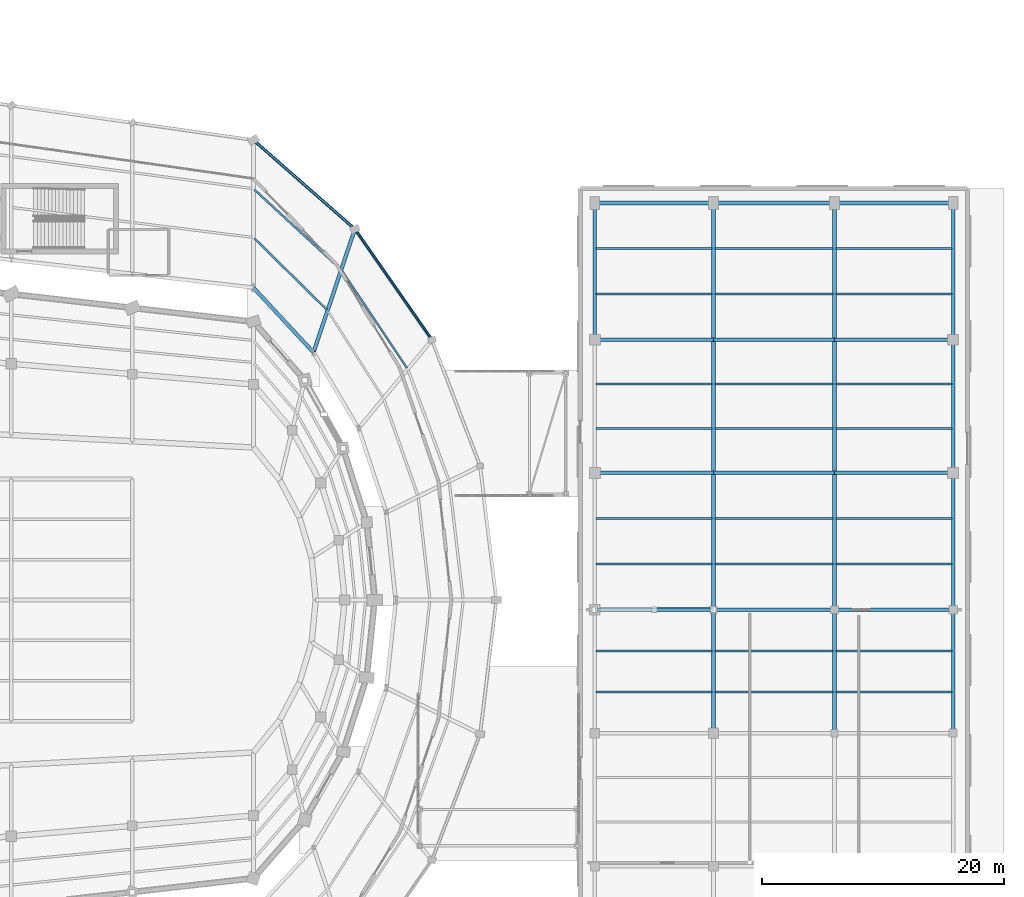
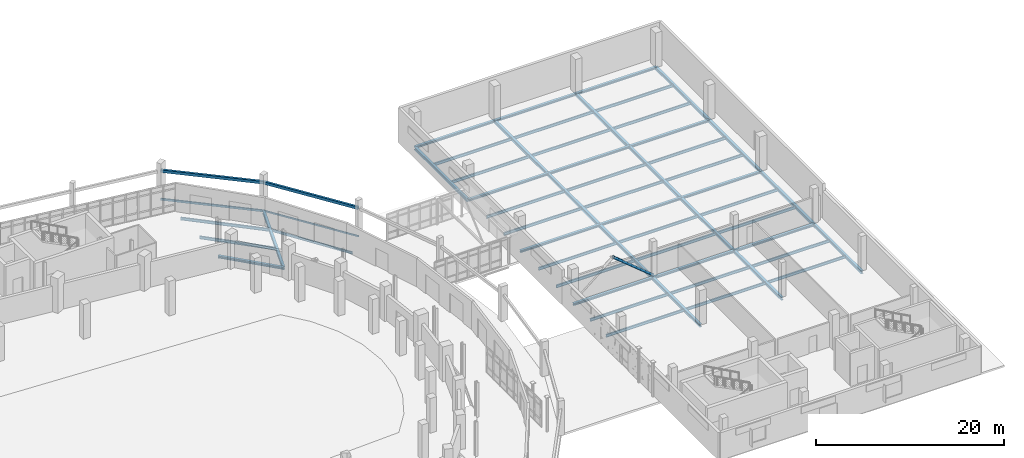
# One storey, part 77 of 122: 58 beams, 1 member.
"""IFC4 building model written with IfcOpenShell, lengths in metres."""

from ifc_helpers import new_model, si_unit, direction, frame, origin, origin_2d, place, context, subcontext, project, spatial, hollow_rectangle, hollow_circle, i_section, extrude, material, material_profile, profile_set, type_object, element, save


model = new_model("IFC4")

# Units and contexts
model_context = context("Model", 3, precision=1e-05, world=origin(), true_north=direction((0.0, 1.0)))
body_context = subcontext(model_context, "Body", "Model", "MODEL_VIEW")
ifc_project = project(units=[si_unit("LENGTHUNIT", "METRE"), si_unit("AREAUNIT", "SQUARE_METRE"), si_unit("VOLUMEUNIT", "CUBIC_METRE"), si_unit("PLANEANGLEUNIT", "RADIAN"), si_unit("MASSUNIT", "GRAM", prefix="KILO")], contexts=[model_context])

# Site, building, storey
site_placement = place(None, origin())
site = spatial("IfcSite", under=ifc_project, at=site_placement, CompositionType="ELEMENT")
building_placement = place(site_placement, origin())
building = spatial("IfcBuilding", under=site, at=building_placement, Name="Sohan Crest Arena", CompositionType="ELEMENT")
storey_placement = place(building_placement, origin())
storey = spatial("IfcBuildingStorey", under=building, at=storey_placement, Name="L00", CompositionType="ELEMENT", Elevation=0.0)

# Beams
ifc_material = material(Name="Steel S355", Category="steel")
ifc_material_profile_1 = material_profile(ifc_material, i_section(OverallWidth=0.14990234375, OverallDepth=0.300048828125, WebThickness=0.007080078125, FlangeThickness=0.0107421875, at=origin_2d()), Name="IPE 300")
ifc_profile_set_1 = profile_set([ifc_material_profile_1], Name="Steel S355")
beam_type_1 = type_object("IfcBeamType", Name="STR-BM-B01", PredefinedType="JOIST", material=ifc_profile_set_1)
beam_1_placement = place(storey_placement, frame((180.68310546875, 97.166015625, -0.425048828125), z_axis=(-0.556006645923, 0.831177844802, 0.0), x_axis=(-0.831177844802, -0.556006645923, 0.0)))
element("IfcBeam", 1, at=beam_1_placement, inside=storey, type_object=beam_type_1, Name="Structural beam J-L00-1043", PredefinedType="JOIST", context=body_context, shape_type="SweptSolid", body=[
    extrude(i_section(OverallWidth=0.14990234375, OverallDepth=0.300048828125, WebThickness=0.007080078125, FlangeThickness=0.0107421875, at=origin_2d()), origin(), (0.0, 0.0, 1.0), 9.65478515625),
])
ifc_material_profile_2 = material_profile(ifc_material, i_section(OverallWidth=0.169921875, OverallDepth=0.360107421875, WebThickness=0.008056640625, FlangeThickness=0.0126953125, at=origin_2d()), Name="IPE 360")
ifc_profile_set_2 = profile_set([ifc_material_profile_2], Name="Steel S355")
beam_type_2 = type_object("IfcBeamType", Name="STR-BM-B02", PredefinedType="JOIST", material=ifc_profile_set_2)
beam_2_placement = place(storey_placement, frame((174.0458984375, 101.9951171875, -0.455078125), z_axis=(-0.712580271708, 0.701590590283, 0.0), x_axis=(-0.701590590283, -0.712580271708, 0.0)))
element("IfcBeam", 2, at=beam_2_placement, inside=storey, type_object=beam_type_2, Name="Structural beam J-L00-1048", PredefinedType="JOIST", context=body_context, shape_type="SweptSolid", body=[
    extrude(i_section(OverallWidth=0.169921875, OverallDepth=0.360107421875, WebThickness=0.008056640625, FlangeThickness=0.0126953125, at=origin_2d()), origin(), (0.0, 0.0, 1.0), 8.375244140625),
])
beam_3_placement = place(storey_placement, frame((175.173095703125, 105.35693359375, -0.455078125), z_axis=(-0.735036224245, 0.678027837959, 0.0), x_axis=(-0.678027837959, -0.735036224245, 0.0)))
element("IfcBeam", 3, at=beam_3_placement, inside=storey, type_object=beam_type_2, Name="Structural beam J-L00-1049", PredefinedType="JOIST", context=body_context, shape_type="SweptSolid", body=[
    extrude(i_section(OverallWidth=0.169921875, OverallDepth=0.360107421875, WebThickness=0.008056640625, FlangeThickness=0.0126953125, at=origin_2d()), origin(), (0.0, 0.0, 1.0), 9.648681640625),
])
for number, where, z_axis, x_axis, name in (
    (4, (196.31005859375, 70.39990234375, -0.409912109375), (1.0, 0.0, 0.0), (0.0, 1.0, 0.0), "Structural beam J-L00-2226"),
    (5, (196.31005859375, 73.800048828125, -0.409912109375), (1.0, 0.0, 0.0), (0.0, 1.0, 0.0), "Structural beam J-L00-2227"),
):
    element("IfcBeam", number, at=place(storey_placement, frame(where, z_axis=z_axis, x_axis=x_axis)), inside=storey, type_object=beam_type_2, Name=name, PredefinedType="JOIST", context=body_context, shape_type="SweptSolid", body=[
        extrude(i_section(OverallWidth=0.169921875, OverallDepth=0.360107421875, WebThickness=0.008056640625, FlangeThickness=0.0126953125, at=origin_2d()), origin(), (0.0, 0.0, 1.0), 9.579833984375),
    ])
for number, where, z_axis, x_axis, name in (
    (6, (206.110107421875, 70.39990234375, -0.409912109375), (1.0, 0.0, 0.0), (0.0, 1.0, 0.0), "Structural beam J-L00-2229"),
    (7, (206.110107421875, 73.800048828125, -0.409912109375), (1.0, 0.0, 0.0), (0.0, 1.0, 0.0), "Structural beam J-L00-2230"),
):
    element("IfcBeam", number, at=place(storey_placement, frame(where, z_axis=z_axis, x_axis=x_axis)), inside=storey, type_object=beam_type_2, Name=name, PredefinedType="JOIST", context=body_context, shape_type="SweptSolid", body=[
        extrude(i_section(OverallWidth=0.169921875, OverallDepth=0.360107421875, WebThickness=0.008056640625, FlangeThickness=0.0126953125, at=origin_2d()), origin(), (0.0, 0.0, 1.0), 9.77978515625),
    ])
for number, where, z_axis, x_axis, name in (
    (8, (216.110107421875, 70.39990234375, -0.409912109375), (1.0, 0.0, 0.0), (0.0, 1.0, 0.0), "Structural beam J-L00-2232"),
    (9, (216.110107421875, 73.800048828125, -0.409912109375), (1.0, 0.0, 0.0), (0.0, 1.0, 0.0), "Structural beam J-L00-2233"),
    (10, (196.31005859375, 80.967041015625, -0.409912109375), (1.0, 0.0, 0.0), (0.0, 1.0, 0.0), "Structural beam J-L00-2235"),
    (11, (196.31005859375, 84.73291015625, -0.409912109375), (1.0, 0.0, 0.0), (0.0, 1.0, 0.0), "Structural beam J-L00-2236"),
):
    element("IfcBeam", number, at=place(storey_placement, frame(where, z_axis=z_axis, x_axis=x_axis)), inside=storey, type_object=beam_type_2, Name=name, PredefinedType="JOIST", context=body_context, shape_type="SweptSolid", body=[
        extrude(i_section(OverallWidth=0.169921875, OverallDepth=0.360107421875, WebThickness=0.008056640625, FlangeThickness=0.0126953125, at=origin_2d()), origin(), (0.0, 0.0, 1.0), 9.579833984375),
    ])
for number, where, z_axis, x_axis, name in (
    (12, (206.110107421875, 80.967041015625, -0.409912109375), (1.0, 0.0, 0.0), (0.0, 1.0, 0.0), "Structural beam J-L00-2238"),
    (13, (206.110107421875, 84.73291015625, -0.409912109375), (1.0, 0.0, 0.0), (0.0, 1.0, 0.0), "Structural beam J-L00-2239"),
):
    element("IfcBeam", number, at=place(storey_placement, frame(where, z_axis=z_axis, x_axis=x_axis)), inside=storey, type_object=beam_type_2, Name=name, PredefinedType="JOIST", context=body_context, shape_type="SweptSolid", body=[
        extrude(i_section(OverallWidth=0.169921875, OverallDepth=0.360107421875, WebThickness=0.008056640625, FlangeThickness=0.0126953125, at=origin_2d()), origin(), (0.0, 0.0, 1.0), 9.77978515625),
    ])
for number, where, z_axis, x_axis, name in (
    (14, (216.110107421875, 80.967041015625, -0.409912109375), (1.0, 0.0, 0.0), (0.0, 1.0, 0.0), "Structural beam J-L00-2241"),
    (15, (216.110107421875, 84.73291015625, -0.409912109375), (1.0, 0.0, 0.0), (0.0, 1.0, 0.0), "Structural beam J-L00-2242"),
    (16, (196.31005859375, 92.1669921875, -0.409912109375), (1.0, 0.0, 0.0), (0.0, 1.0, 0.0), "Structural beam J-L00-2244"),
    (17, (196.31005859375, 95.8330078125, -0.409912109375), (1.0, 0.0, 0.0), (0.0, 1.0, 0.0), "Structural beam J-L00-2245"),
):
    element("IfcBeam", number, at=place(storey_placement, frame(where, z_axis=z_axis, x_axis=x_axis)), inside=storey, type_object=beam_type_2, Name=name, PredefinedType="JOIST", context=body_context, shape_type="SweptSolid", body=[
        extrude(i_section(OverallWidth=0.169921875, OverallDepth=0.360107421875, WebThickness=0.008056640625, FlangeThickness=0.0126953125, at=origin_2d()), origin(), (0.0, 0.0, 1.0), 9.579833984375),
    ])
for number, where, z_axis, x_axis, name in (
    (18, (206.110107421875, 92.1669921875, -0.409912109375), (1.0, 0.0, 0.0), (0.0, 1.0, 0.0), "Structural beam J-L00-2247"),
    (19, (206.110107421875, 95.8330078125, -0.409912109375), (1.0, 0.0, 0.0), (0.0, 1.0, 0.0), "Structural beam J-L00-2248"),
):
    element("IfcBeam", number, at=place(storey_placement, frame(where, z_axis=z_axis, x_axis=x_axis)), inside=storey, type_object=beam_type_2, Name=name, PredefinedType="JOIST", context=body_context, shape_type="SweptSolid", body=[
        extrude(i_section(OverallWidth=0.169921875, OverallDepth=0.360107421875, WebThickness=0.008056640625, FlangeThickness=0.0126953125, at=origin_2d()), origin(), (0.0, 0.0, 1.0), 9.77978515625),
    ])
for number, where, z_axis, x_axis, name in (
    (20, (216.110107421875, 92.1669921875, -0.409912109375), (1.0, 0.0, 0.0), (0.0, 1.0, 0.0), "Structural beam J-L00-2250"),
    (21, (216.110107421875, 95.8330078125, -0.409912109375), (1.0, 0.0, 0.0), (0.0, 1.0, 0.0), "Structural beam J-L00-2251"),
    (22, (196.31005859375, 103.26708984375, -0.409912109375), (1.0, 0.0, 0.0), (0.0, 1.0, 0.0), "Structural beam J-L00-2253"),
    (23, (196.31005859375, 107.032958984375, -0.409912109375), (1.0, 0.0, 0.0), (0.0, 1.0, 0.0), "Structural beam J-L00-2254"),
):
    element("IfcBeam", number, at=place(storey_placement, frame(where, z_axis=z_axis, x_axis=x_axis)), inside=storey, type_object=beam_type_2, Name=name, PredefinedType="JOIST", context=body_context, shape_type="SweptSolid", body=[
        extrude(i_section(OverallWidth=0.169921875, OverallDepth=0.360107421875, WebThickness=0.008056640625, FlangeThickness=0.0126953125, at=origin_2d()), origin(), (0.0, 0.0, 1.0), 9.579833984375),
    ])
for number, where, z_axis, x_axis, name in (
    (24, (206.110107421875, 103.26708984375, -0.409912109375), (1.0, 0.0, 0.0), (0.0, 1.0, 0.0), "Structural beam J-L00-2256"),
    (25, (206.110107421875, 107.032958984375, -0.409912109375), (1.0, 0.0, 0.0), (0.0, 1.0, 0.0), "Structural beam J-L00-2257"),
):
    element("IfcBeam", number, at=place(storey_placement, frame(where, z_axis=z_axis, x_axis=x_axis)), inside=storey, type_object=beam_type_2, Name=name, PredefinedType="JOIST", context=body_context, shape_type="SweptSolid", body=[
        extrude(i_section(OverallWidth=0.169921875, OverallDepth=0.360107421875, WebThickness=0.008056640625, FlangeThickness=0.0126953125, at=origin_2d()), origin(), (0.0, 0.0, 1.0), 9.77978515625),
    ])
for number, where, z_axis, x_axis, name in (
    (26, (216.110107421875, 103.26708984375, -0.409912109375), (1.0, 0.0, 0.0), (0.0, 1.0, 0.0), "Structural beam J-L00-2259"),
    (27, (216.110107421875, 107.032958984375, -0.409912109375), (1.0, 0.0, 0.0), (0.0, 1.0, 0.0), "Structural beam J-L00-2260"),
):
    element("IfcBeam", number, at=place(storey_placement, frame(where, z_axis=z_axis, x_axis=x_axis)), inside=storey, type_object=beam_type_2, Name=name, PredefinedType="JOIST", context=body_context, shape_type="SweptSolid", body=[
        extrude(i_section(OverallWidth=0.169921875, OverallDepth=0.360107421875, WebThickness=0.008056640625, FlangeThickness=0.0126953125, at=origin_2d()), origin(), (0.0, 0.0, 1.0), 9.579833984375),
    ])
ifc_material_profile_3 = material_profile(ifc_material, i_section(OverallWidth=0.300048828125, OverallDepth=0.2900390625, WebThickness=0.008544921875, FlangeThickness=0.013916015625, at=origin_2d()), Name="HEA 300")
ifc_profile_set_3 = profile_set([ifc_material_profile_3], Name="Steel S355")
beam_type_3 = type_object("IfcBeamType", Name="STR-BM-B08", PredefinedType="BEAM", material=ifc_profile_set_3)
beam_4_placement = place(storey_placement, frame((196.199951171875, 77.199951171875, -0.375), z_axis=(1.0, 0.0, 0.0), x_axis=(0.0, 1.0, 0.0)))
element("IfcBeam", 28, at=beam_4_placement, inside=storey, type_object=beam_type_3, Name="Structural beam G-L00-2234", PredefinedType="BEAM", context=body_context, shape_type="SweptSolid", body=[
    extrude(i_section(OverallWidth=0.300048828125, OverallDepth=0.2900390625, WebThickness=0.008544921875, FlangeThickness=0.013916015625, at=origin_2d()), origin(), (0.0, 0.0, 1.0), 9.800048828125),
])
beam_5_placement = place(storey_placement, frame((206.0, 77.199951171875, -0.375), z_axis=(1.0, 0.0, 0.0), x_axis=(0.0, 1.0, 0.0)))
element("IfcBeam", 29, at=beam_5_placement, inside=storey, type_object=beam_type_3, Name="Structural beam G-L00-2237", PredefinedType="BEAM", context=body_context, shape_type="SweptSolid", body=[
    extrude(i_section(OverallWidth=0.300048828125, OverallDepth=0.2900390625, WebThickness=0.008544921875, FlangeThickness=0.013916015625, at=origin_2d()), origin(), (0.0, 0.0, 1.0), 10.0),
])
for number, where, z_axis, x_axis, name in (
    (30, (216.0, 77.199951171875, -0.375), (1.0, 0.0, 0.0), (0.0, 1.0, 0.0), "Structural beam G-L00-2240"),
    (31, (196.199951171875, 88.5, -0.375), (1.0, 0.0, 0.0), (0.0, 1.0, 0.0), "Structural beam G-L00-2243"),
):
    element("IfcBeam", number, at=place(storey_placement, frame(where, z_axis=z_axis, x_axis=x_axis)), inside=storey, type_object=beam_type_3, Name=name, PredefinedType="BEAM", context=body_context, shape_type="SweptSolid", body=[
        extrude(i_section(OverallWidth=0.300048828125, OverallDepth=0.2900390625, WebThickness=0.008544921875, FlangeThickness=0.013916015625, at=origin_2d()), origin(), (0.0, 0.0, 1.0), 9.800048828125),
    ])
beam_6_placement = place(storey_placement, frame((206.0, 88.5, -0.375), z_axis=(1.0, 0.0, 0.0), x_axis=(0.0, 1.0, 0.0)))
element("IfcBeam", 32, at=beam_6_placement, inside=storey, type_object=beam_type_3, Name="Structural beam G-L00-2246", PredefinedType="BEAM", context=body_context, shape_type="SweptSolid", body=[
    extrude(i_section(OverallWidth=0.300048828125, OverallDepth=0.2900390625, WebThickness=0.008544921875, FlangeThickness=0.013916015625, at=origin_2d()), origin(), (0.0, 0.0, 1.0), 10.0),
])
for number, where, z_axis, x_axis, name in (
    (33, (216.0, 88.5, -0.375), (1.0, 0.0, 0.0), (0.0, 1.0, 0.0), "Structural beam G-L00-2249"),
    (34, (196.199951171875, 99.5, -0.375), (1.0, 0.0, 0.0), (0.0, 1.0, 0.0), "Structural beam G-L00-2252"),
):
    element("IfcBeam", number, at=place(storey_placement, frame(where, z_axis=z_axis, x_axis=x_axis)), inside=storey, type_object=beam_type_3, Name=name, PredefinedType="BEAM", context=body_context, shape_type="SweptSolid", body=[
        extrude(i_section(OverallWidth=0.300048828125, OverallDepth=0.2900390625, WebThickness=0.008544921875, FlangeThickness=0.013916015625, at=origin_2d()), origin(), (0.0, 0.0, 1.0), 9.800048828125),
    ])
beam_7_placement = place(storey_placement, frame((206.0, 99.5, -0.375), z_axis=(1.0, 0.0, 0.0), x_axis=(0.0, 1.0, 0.0)))
element("IfcBeam", 35, at=beam_7_placement, inside=storey, type_object=beam_type_3, Name="Structural beam G-L00-2255", PredefinedType="BEAM", context=body_context, shape_type="SweptSolid", body=[
    extrude(i_section(OverallWidth=0.300048828125, OverallDepth=0.2900390625, WebThickness=0.008544921875, FlangeThickness=0.013916015625, at=origin_2d()), origin(), (0.0, 0.0, 1.0), 10.0),
])
for number, where, z_axis, x_axis, name in (
    (36, (216.0, 99.5, -0.375), (1.0, 0.0, 0.0), (0.0, 1.0, 0.0), "Structural beam G-L00-2258"),
    (37, (196.199951171875, 110.800048828125, -0.375), (1.0, 0.0, 0.0), (0.0, 1.0, 0.0), "Structural beam G-L00-2261"),
):
    element("IfcBeam", number, at=place(storey_placement, frame(where, z_axis=z_axis, x_axis=x_axis)), inside=storey, type_object=beam_type_3, Name=name, PredefinedType="BEAM", context=body_context, shape_type="SweptSolid", body=[
        extrude(i_section(OverallWidth=0.300048828125, OverallDepth=0.2900390625, WebThickness=0.008544921875, FlangeThickness=0.013916015625, at=origin_2d()), origin(), (0.0, 0.0, 1.0), 9.800048828125),
    ])
beam_8_placement = place(storey_placement, frame((206.0, 110.800048828125, -0.375), z_axis=(1.0, 0.0, 0.0), x_axis=(0.0, 1.0, 0.0)))
element("IfcBeam", 38, at=beam_8_placement, inside=storey, type_object=beam_type_3, Name="Structural beam G-L00-2262", PredefinedType="BEAM", context=body_context, shape_type="SweptSolid", body=[
    extrude(i_section(OverallWidth=0.300048828125, OverallDepth=0.2900390625, WebThickness=0.008544921875, FlangeThickness=0.013916015625, at=origin_2d()), origin(), (0.0, 0.0, 1.0), 10.0),
])
beam_9_placement = place(storey_placement, frame((216.0, 110.800048828125, -0.375), z_axis=(1.0, 0.0, 0.0), x_axis=(0.0, 1.0, 0.0)))
element("IfcBeam", 39, at=beam_9_placement, inside=storey, type_object=beam_type_3, Name="Structural beam G-L00-2263", PredefinedType="BEAM", context=body_context, shape_type="SweptSolid", body=[
    extrude(i_section(OverallWidth=0.300048828125, OverallDepth=0.2900390625, WebThickness=0.008544921875, FlangeThickness=0.013916015625, at=origin_2d()), origin(), (0.0, 0.0, 1.0), 9.800048828125),
])
ifc_material_profile_4 = material_profile(ifc_material, i_section(OverallWidth=0.300048828125, OverallDepth=0.389892578125, WebThickness=0.010986328125, FlangeThickness=0.01904296875, at=origin_2d()), Name="HEA 400")
ifc_profile_set_4 = profile_set([ifc_material_profile_4], Name="Steel S355")
beam_type_4 = type_object("IfcBeamType", Name="STR-BM-B09", PredefinedType="BEAM", material=ifc_profile_set_4)
beam_10_placement = place(storey_placement, frame((196.199951171875, 99.5, -0.425048828125), z_axis=(0.0, 1.0, 0.0), x_axis=(-1.0, 0.0, 0.0)))
element("IfcBeam", 40, at=beam_10_placement, inside=storey, type_object=beam_type_4, Name="Structural beam G-L00-2188", PredefinedType="BEAM", context=body_context, shape_type="SweptSolid", body=[
    extrude(i_section(OverallWidth=0.300048828125, OverallDepth=0.389892578125, WebThickness=0.010986328125, FlangeThickness=0.01904296875, at=origin_2d()), origin(), (0.0, 0.0, 1.0), 11.300048828125),
])
beam_11_placement = place(storey_placement, frame((206.0, 67.0, -0.425048828125), z_axis=(0.0, 1.0, 0.0), x_axis=(-1.0, 0.0, 0.0)))
element("IfcBeam", 41, at=beam_11_placement, inside=storey, type_object=beam_type_4, Name="Structural beam G-L00-2191", PredefinedType="BEAM", context=body_context, shape_type="SweptSolid", body=[
    extrude(i_section(OverallWidth=0.300048828125, OverallDepth=0.389892578125, WebThickness=0.010986328125, FlangeThickness=0.01904296875, at=origin_2d()), origin(), (0.0, 0.0, 1.0), 10.199951171875),
])
beam_12_placement = place(storey_placement, frame((206.0, 77.199951171875, -0.425048828125), z_axis=(0.0, 1.0, 0.0), x_axis=(-1.0, 0.0, 0.0)))
element("IfcBeam", 42, at=beam_12_placement, inside=storey, type_object=beam_type_4, Name="Structural beam G-L00-2192", PredefinedType="BEAM", context=body_context, shape_type="SweptSolid", body=[
    extrude(i_section(OverallWidth=0.300048828125, OverallDepth=0.389892578125, WebThickness=0.010986328125, FlangeThickness=0.01904296875, at=origin_2d()), origin(), (0.0, 0.0, 1.0), 11.300048828125),
])
beam_13_placement = place(storey_placement, frame((206.0, 88.5, -0.425048828125), z_axis=(0.0, 1.0, 0.0), x_axis=(-1.0, 0.0, 0.0)))
element("IfcBeam", 43, at=beam_13_placement, inside=storey, type_object=beam_type_4, Name="Structural beam G-L00-2193", PredefinedType="BEAM", context=body_context, shape_type="SweptSolid", body=[
    extrude(i_section(OverallWidth=0.300048828125, OverallDepth=0.389892578125, WebThickness=0.010986328125, FlangeThickness=0.01904296875, at=origin_2d()), origin(), (0.0, 0.0, 1.0), 11.0),
])
beam_14_placement = place(storey_placement, frame((206.0, 99.5, -0.425048828125), z_axis=(0.0, 1.0, 0.0), x_axis=(-1.0, 0.0, 0.0)))
element("IfcBeam", 44, at=beam_14_placement, inside=storey, type_object=beam_type_4, Name="Structural beam G-L00-2194", PredefinedType="BEAM", context=body_context, shape_type="SweptSolid", body=[
    extrude(i_section(OverallWidth=0.300048828125, OverallDepth=0.389892578125, WebThickness=0.010986328125, FlangeThickness=0.01904296875, at=origin_2d()), origin(), (0.0, 0.0, 1.0), 11.300048828125),
])
beam_15_placement = place(storey_placement, frame((216.0, 67.0, -0.425048828125), z_axis=(0.0, 1.0, 0.0), x_axis=(-1.0, 0.0, 0.0)))
element("IfcBeam", 45, at=beam_15_placement, inside=storey, type_object=beam_type_4, Name="Structural beam G-L00-2197", PredefinedType="BEAM", context=body_context, shape_type="SweptSolid", body=[
    extrude(i_section(OverallWidth=0.300048828125, OverallDepth=0.389892578125, WebThickness=0.010986328125, FlangeThickness=0.01904296875, at=origin_2d()), origin(), (0.0, 0.0, 1.0), 10.199951171875),
])
beam_16_placement = place(storey_placement, frame((216.0, 77.199951171875, -0.425048828125), z_axis=(0.0, 1.0, 0.0), x_axis=(-1.0, 0.0, 0.0)))
element("IfcBeam", 46, at=beam_16_placement, inside=storey, type_object=beam_type_4, Name="Structural beam G-L00-2198", PredefinedType="BEAM", context=body_context, shape_type="SweptSolid", body=[
    extrude(i_section(OverallWidth=0.300048828125, OverallDepth=0.389892578125, WebThickness=0.010986328125, FlangeThickness=0.01904296875, at=origin_2d()), origin(), (0.0, 0.0, 1.0), 11.300048828125),
])
beam_17_placement = place(storey_placement, frame((216.0, 88.5, -0.425048828125), z_axis=(0.0, 1.0, 0.0), x_axis=(-1.0, 0.0, 0.0)))
element("IfcBeam", 47, at=beam_17_placement, inside=storey, type_object=beam_type_4, Name="Structural beam G-L00-2199", PredefinedType="BEAM", context=body_context, shape_type="SweptSolid", body=[
    extrude(i_section(OverallWidth=0.300048828125, OverallDepth=0.389892578125, WebThickness=0.010986328125, FlangeThickness=0.01904296875, at=origin_2d()), origin(), (0.0, 0.0, 1.0), 11.0),
])
beam_18_placement = place(storey_placement, frame((216.0, 99.5, -0.425048828125), z_axis=(0.0, 1.0, 0.0), x_axis=(-1.0, 0.0, 0.0)))
element("IfcBeam", 48, at=beam_18_placement, inside=storey, type_object=beam_type_4, Name="Structural beam G-L00-2200", PredefinedType="BEAM", context=body_context, shape_type="SweptSolid", body=[
    extrude(i_section(OverallWidth=0.300048828125, OverallDepth=0.389892578125, WebThickness=0.010986328125, FlangeThickness=0.01904296875, at=origin_2d()), origin(), (0.0, 0.0, 1.0), 11.300048828125),
])
beam_19_placement = place(storey_placement, frame((225.800048828125, 67.0, -0.425048828125), z_axis=(0.0, 1.0, 0.0), x_axis=(-1.0, 0.0, 0.0)))
element("IfcBeam", 49, at=beam_19_placement, inside=storey, type_object=beam_type_4, Name="Structural beam G-L00-2203", PredefinedType="BEAM", context=body_context, shape_type="SweptSolid", body=[
    extrude(i_section(OverallWidth=0.300048828125, OverallDepth=0.389892578125, WebThickness=0.010986328125, FlangeThickness=0.01904296875, at=origin_2d()), origin(), (0.0, 0.0, 1.0), 10.199951171875),
])
beam_20_placement = place(storey_placement, frame((225.800048828125, 77.199951171875, -0.425048828125), z_axis=(0.0, 1.0, 0.0), x_axis=(-1.0, 0.0, 0.0)))
element("IfcBeam", 50, at=beam_20_placement, inside=storey, type_object=beam_type_4, Name="Structural beam G-L00-2204", PredefinedType="BEAM", context=body_context, shape_type="SweptSolid", body=[
    extrude(i_section(OverallWidth=0.300048828125, OverallDepth=0.389892578125, WebThickness=0.010986328125, FlangeThickness=0.01904296875, at=origin_2d()), origin(), (0.0, 0.0, 1.0), 11.300048828125),
])
beam_21_placement = place(storey_placement, frame((225.800048828125, 88.5, -0.425048828125), z_axis=(0.0, 1.0, 0.0), x_axis=(-1.0, 0.0, 0.0)))
element("IfcBeam", 51, at=beam_21_placement, inside=storey, type_object=beam_type_4, Name="Structural beam G-L00-2205", PredefinedType="BEAM", context=body_context, shape_type="SweptSolid", body=[
    extrude(i_section(OverallWidth=0.300048828125, OverallDepth=0.389892578125, WebThickness=0.010986328125, FlangeThickness=0.01904296875, at=origin_2d()), origin(), (0.0, 0.0, 1.0), 11.0),
])
beam_22_placement = place(storey_placement, frame((225.800048828125, 99.5, -0.425048828125), z_axis=(0.0, 1.0, 0.0), x_axis=(-1.0, 0.0, 0.0)))
element("IfcBeam", 52, at=beam_22_placement, inside=storey, type_object=beam_type_4, Name="Structural beam G-L00-2206", PredefinedType="BEAM", context=body_context, shape_type="SweptSolid", body=[
    extrude(i_section(OverallWidth=0.300048828125, OverallDepth=0.389892578125, WebThickness=0.010986328125, FlangeThickness=0.01904296875, at=origin_2d()), origin(), (0.0, 0.0, 1.0), 11.300048828125),
])
ifc_material_profile_5 = material_profile(ifc_material, i_section(OverallWidth=0.300048828125, OverallDepth=0.300048828125, WebThickness=0.010986328125, FlangeThickness=0.01904296875, at=origin_2d()), Name="HEB 300")
ifc_profile_set_5 = profile_set([ifc_material_profile_5], Name="Steel S355")
beam_type_5 = type_object("IfcBeamType", Name="STR-BM-B12", PredefinedType="BEAM", material=ifc_profile_set_5)
beam_23_placement = place(storey_placement, frame((172.9609375, 98.452880859375, -0.425048828125), z_axis=(-0.680135214567, 0.733086686488, 0.0), x_axis=(-0.733086686488, -0.680135214567, 0.0)))
element("IfcBeam", 53, at=beam_23_placement, inside=storey, type_object=beam_type_5, Name="Structural beam G-L00-1045", PredefinedType="BEAM", context=body_context, shape_type="SweptSolid", body=[
    extrude(i_section(OverallWidth=0.300048828125, OverallDepth=0.300048828125, WebThickness=0.010986328125, FlangeThickness=0.01904296875, at=origin_2d()), origin(), (0.0, 0.0, 1.0), 7.2939453125),
])
ifc_material_profile_6 = material_profile(ifc_material, i_section(OverallWidth=0.300048828125, OverallDepth=0.39990234375, WebThickness=0.013427734375, FlangeThickness=0.02392578125, at=origin_2d()), Name="HEB 400")
ifc_profile_set_6 = profile_set([ifc_material_profile_6], Name="Steel S355")
beam_type_6 = type_object("IfcBeamType", Name="STR-BM-B13", PredefinedType="BEAM", material=ifc_profile_set_6)
beam_24_placement = place(storey_placement, frame((172.9609375, 98.452880859375, -0.47509765625), z_axis=(0.318297981778, 0.947990714509, 0.0), x_axis=(-0.947990714509, 0.318297981778, 0.0)))
element("IfcBeam", 54, at=beam_24_placement, inside=storey, type_object=beam_type_6, Name="Structural beam G-L00-1044", PredefinedType="BEAM", context=body_context, shape_type="SweptSolid", body=[
    extrude(i_section(OverallWidth=0.300048828125, OverallDepth=0.39990234375, WebThickness=0.013427734375, FlangeThickness=0.02392578125, at=origin_2d()), origin(), (0.0, 0.0, 1.0), 10.751220703125),
])
ifc_material_profile_7 = material_profile(ifc_material, hollow_rectangle(XDim=0.10009765625, YDim=0.199951171875, WallThickness=0.008056640625, at=origin_2d()), Name="RHS 200x100x8")
ifc_profile_set_7 = profile_set([ifc_material_profile_7], Name="Steel S355")
beam_type_7 = type_object("IfcBeamType", Name="STR-BM-SP01", PredefinedType="SPANDREL", material=ifc_profile_set_7)
beam_25_placement = place(storey_placement, frame((182.7490234375, 99.489013671875, -0.375), z_axis=(-0.570857282329, 0.8210493062, 0.0), x_axis=(-0.8210493062, -0.570857282329, 0.0)))
element("IfcBeam", 55, at=beam_25_placement, inside=storey, type_object=beam_type_7, Name="Structural beam SP-L00-1040", PredefinedType="SPANDREL", context=body_context, shape_type="SweptSolid", body=[
    extrude(hollow_rectangle(XDim=0.10009765625, YDim=0.199951171875, WallThickness=0.008056640625, at=origin_2d()), origin(), (0.0, 0.0, 1.0), 11.151611328125),
])
ifc_material_profile_8 = material_profile(ifc_material, hollow_rectangle(XDim=0.14990234375, YDim=0.25, WallThickness=0.010009765625, at=origin_2d()), Name="RHS 250x150x10")
ifc_profile_set_8 = profile_set([ifc_material_profile_8], Name="Steel S355")
beam_type_8 = type_object("IfcBeamType", Name="STR-BM-SP02", PredefinedType="SPANDREL", material=ifc_profile_set_8)
beam_26_placement = place(storey_placement, frame((176.383056640625, 108.64501953125, -0.39990234375), z_axis=(-0.751695897988, 0.659509876308, 0.0), x_axis=(-0.659509876308, -0.751695897988, 0.0)))
element("IfcBeam", 56, at=beam_26_placement, inside=storey, type_object=beam_type_8, Name="Structural beam SP-L00-1046", PredefinedType="SPANDREL", context=body_context, shape_type="SweptSolid", body=[
    extrude(hollow_rectangle(XDim=0.14990234375, YDim=0.25, WallThickness=0.010009765625, at=origin_2d()), origin(), (0.0, 0.0, 1.0), 11.152099609375),
])
ifc_material_profile_9 = material_profile(ifc_material, hollow_rectangle(XDim=0.25, YDim=0.35009765625, WallThickness=0.012451171875, at=origin_2d()), Name="RHS 350x250x12.5")
ifc_profile_set_9 = profile_set([ifc_material_profile_9], Name="Steel S355")
beam_type_9 = type_object("IfcBeamType", Name="STR-BM-SP04", PredefinedType="SPANDREL", material=ifc_profile_set_9)
beam_27_placement = place(storey_placement, frame((182.7490234375, 99.489013671875, 3.300048828125), z_axis=(-0.570857282329, 0.8210493062, 0.0), x_axis=(-0.8210493062, -0.570857282329, 0.0)))
element("IfcBeam", 57, at=beam_27_placement, inside=storey, type_object=beam_type_9, Name="Structural beam ARC-L00-1041", PredefinedType="SPANDREL", context=body_context, shape_type="SweptSolid", body=[
    extrude(hollow_rectangle(XDim=0.25, YDim=0.35009765625, WallThickness=0.012451171875, at=origin_2d()), origin(), (0.0, 0.0, 1.0), 11.151611328125),
])
beam_28_placement = place(storey_placement, frame((176.383056640625, 108.64501953125, 3.300048828125), z_axis=(-0.751695897988, 0.659509876308, 0.0), x_axis=(-0.659509876308, -0.751695897988, 0.0)))
element("IfcBeam", 58, at=beam_28_placement, inside=storey, type_object=beam_type_9, Name="Structural beam ARC-L00-1047", PredefinedType="SPANDREL", context=body_context, shape_type="SweptSolid", body=[
    extrude(hollow_rectangle(XDim=0.25, YDim=0.35009765625, WallThickness=0.012451171875, at=origin_2d()), origin(), (0.0, 0.0, 1.0), 11.152099609375),
])

# Member
ifc_material_profile_10 = material_profile(ifc_material, hollow_circle(Radius=0.161865234375, WallThickness=0.012451171875, at=origin_2d()), Name="CHS 323.9x12.5")
ifc_profile_set_10 = profile_set([ifc_material_profile_10], Name="Steel S355")
member_type = type_object("IfcMemberType", Name="STR-MEM-BR03", PredefinedType="BRACE", material=ifc_profile_set_10)
member_placement = place(storey_placement, frame((206.0, 77.199951171875, 0.0), z_axis=(-0.773105336173, 0.0, 0.634277651491), x_axis=(0.0, -1.0, 0.0)))
element("IfcMember", 59, at=member_placement, inside=storey, type_object=member_type, Name="Practice hall chevron brace BR-034", PredefinedType="BRACE", context=body_context, shape_type="SweptSolid", body=[
    extrude(hollow_circle(Radius=0.161865234375, WallThickness=0.012451171875, at=origin_2d()), origin(), (0.0, 0.0, 1.0), 6.337890625),
])

save(model, "model.ifc")
